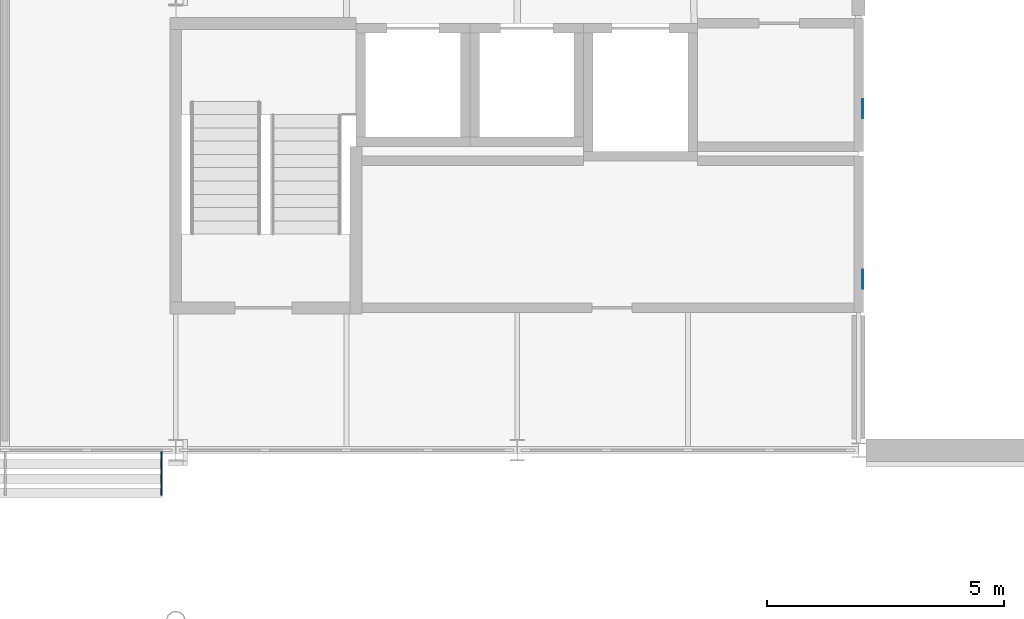
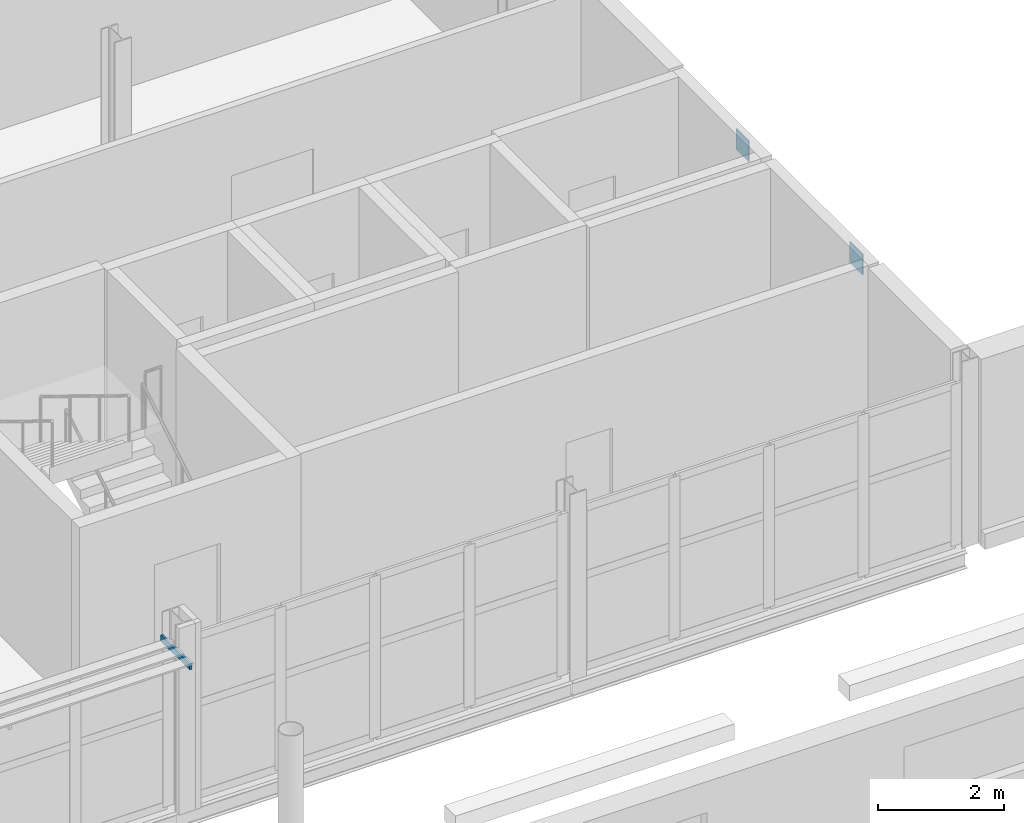
# One storey, part 100 of 124: 3 discrete accessories.
"""IFC4 building model written with IfcOpenShell, lengths in metres."""

from ifc_helpers import new_model, si_unit, direction, frame, origin, origin_2d, place, context, subcontext, project, spatial, rectangle, extrude, material, layer, layer_set, type_object, element, save


model = new_model("IFC4")

# Units and contexts
model_context = context("Model", 3, precision=1e-05, world=origin(), true_north=direction((0.0, 1.0)))
body_context = subcontext(model_context, "Body", "Model", "MODEL_VIEW")
ifc_project = project(units=[si_unit("LENGTHUNIT", "METRE"), si_unit("AREAUNIT", "SQUARE_METRE"), si_unit("VOLUMEUNIT", "CUBIC_METRE"), si_unit("PLANEANGLEUNIT", "RADIAN"), si_unit("MASSUNIT", "GRAM", prefix="KILO")], contexts=[model_context])

# Site, building, storey
site_placement = place(None, origin())
site = spatial("IfcSite", under=ifc_project, at=site_placement, CompositionType="ELEMENT")
building_placement = place(site_placement, origin())
building = spatial("IfcBuilding", under=site, at=building_placement, Name="Kupolbacken Congress Centre", CompositionType="ELEMENT")
storey_placement = place(building_placement, frame((0.0, 0.0, 10.800048828125)))
storey = spatial("IfcBuildingStorey", under=building, at=storey_placement, Name="L03", CompositionType="ELEMENT", Elevation=10.800048828125)

# Discrete accessories
ifc_material_1 = material(Name="Steel S355", Category="steel")
ifc_layer_1 = layer(ifc_material_1, 0.011962890625)
ifc_layer_set_1 = layer_set([ifc_layer_1], Name="Steel S355")
discrete_accessory_type_1 = type_object("IfcDiscreteAccessoryType", Name="BK1 bracket 150 x 150 x 12", PredefinedType="BRACKET", material=ifc_layer_set_1)
discrete_accessory_placement = place(storey_placement, frame((136.5, 121.909912109375, 3.239990234375), z_axis=(0.0, 0.0, 1.0), x_axis=(1.0, 0.0, 0.0)))
element("IfcDiscreteAccessory", 1, at=discrete_accessory_placement, inside=storey, type_object=discrete_accessory_type_1, Name="Brise-soleil arm", PredefinedType="BRACKET", context=body_context, shape_type="SweptSolid", body=[
    extrude(rectangle(XDim=0.0400390625, YDim=0.919921875, at=origin_2d()), origin(), (0.0, 0.0, 1.0), 0.1201171875),
])
ifc_material_2 = material(Name="Steel S355", Category="steel")
ifc_layer_2 = layer(ifc_material_2, 0.02001953125)
ifc_layer_set_2 = layer_set([ifc_layer_2], Name="Steel S355")
discrete_accessory_type_2 = type_object("IfcDiscreteAccessoryType", Name="BK4 cast-in plate 400 x 400 x 20", PredefinedType="BRACKET", material=ifc_layer_set_2)
for number, where, z_axis, x_axis, name in (
    (2, (151.2900390625, 126.0, 3.050048828125), (0.0, 0.0, 1.0), (1.0, 0.0, 0.0), "Cast-in plate 02"),
    (3, (151.2900390625, 129.60009765625, 3.050048828125), (0.0, 0.0, 1.0), (1.0, 0.0, 0.0), "Cast-in plate 03"),
):
    element("IfcDiscreteAccessory", number, at=place(storey_placement, frame(where, z_axis=z_axis, x_axis=x_axis)), inside=storey, type_object=discrete_accessory_type_2, Name=name, PredefinedType="BRACKET", context=body_context, shape_type="SweptSolid", body=[
        extrude(rectangle(XDim=0.02001953125, YDim=0.39990234375, at=origin_2d()), origin(), (0.0, 0.0, 1.0), 0.39990234375),
    ])

save(model, "model.ifc")
